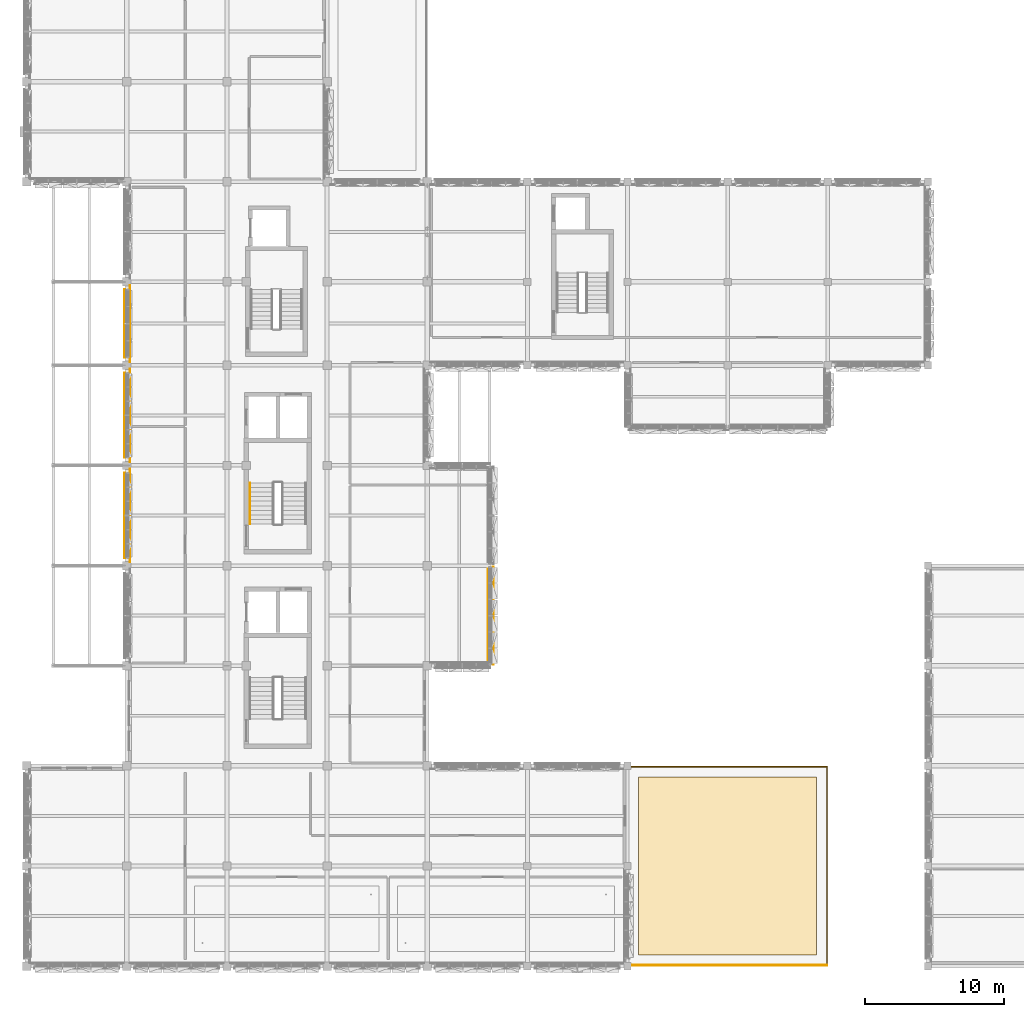
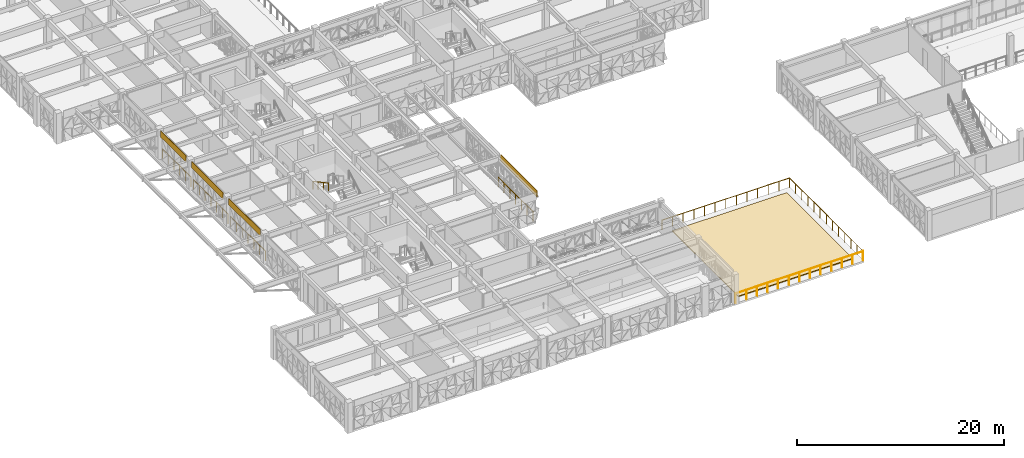
# One storey, part 79 of 99: 7 railings, 5 coverings.
"""IFC4 building model written with IfcOpenShell, lengths in metres."""

from ifc_helpers import new_model, si_unit, direction, frame, origin, origin_2d, place, context, subcontext, project, spatial, polyline, circle, outline, extrude, material, layer, layer_set, type_object, element, save


model = new_model("IFC4")

# Units and contexts
model_context = context("Model", 3, precision=1e-05, world=origin(), true_north=direction((0.0, 1.0)))
body_context = subcontext(model_context, "Body", "Model", "MODEL_VIEW")
ifc_project = project(units=[si_unit("LENGTHUNIT", "METRE"), si_unit("AREAUNIT", "SQUARE_METRE"), si_unit("VOLUMEUNIT", "CUBIC_METRE"), si_unit("PLANEANGLEUNIT", "RADIAN"), si_unit("MASSUNIT", "GRAM", prefix="KILO")], contexts=[model_context])

# Site, building, storey
site_placement = place(None, origin())
site = spatial("IfcSite", under=ifc_project, at=site_placement, CompositionType="ELEMENT")
building_placement = place(site_placement, origin())
building = spatial("IfcBuilding", under=site, at=building_placement, Name="Alvorim Cloister Faculty of Sciences", CompositionType="ELEMENT")
storey_placement = place(building_placement, frame((0.0, 0.0, 12.14990234375)))
storey = spatial("IfcBuildingStorey", under=building, at=storey_placement, Name="L03", CompositionType="ELEMENT", Elevation=12.14990234375)

# Coverings
ifc_material_1 = material(Name="Anodised Aluminium Alloy 6063-T6", Category="aluminium")
ifc_layer_1 = layer(ifc_material_1, 0.031982421875)
ifc_layer_set_1 = layer_set([ifc_layer_1], Name="Anodised Aluminium Alloy 6063-T6")
covering_type_1 = type_object("IfcCoveringType", Name="COV-FAC-CAS", PredefinedType="CLADDING", material=ifc_layer_set_1)
for number, where, z_axis, x_axis, name in (
    (1, (7.050048828125, 29.340087890625, 2.830078125), (0.0, 0.0, 1.0), (0.0, 1.0, 0.0), "L03 Shifted Bar Slab-Edge Architectural Fascia"),
    (2, (7.050048828125, 36.5400390625, 2.830078125), (0.0, 0.0, 1.0), (0.0, 1.0, 0.0), "L03 Shifted Bar Slab-Edge Architectural Fascia"),
):
    element("IfcCovering", number, at=place(storey_placement, frame(where, z_axis=z_axis, x_axis=x_axis)), inside=storey, type_object=covering_type_1, Name=name, PredefinedType="CLADDING", context=body_context, shape_type="SweptSolid", body=[
        extrude(outline(polyline([(0.0, 0.0), (6.1201171875, 0.0), (6.1201171875, 0.760009765625), (0.0, 0.760009765625), (0.0, 0.0)])), frame((0.0, 0.0224609375, 0.0), z_axis=(0.0, -1.0, 0.0), x_axis=(1.0, 0.0, 0.0)), (0.0, 0.0, 1.0), 0.044921875),
    ])
covering_1_placement = place(storey_placement, frame((7.050048828125, 43.739990234375, 2.830078125), z_axis=(0.0, 0.0, 1.0), x_axis=(0.0, 1.0, 0.0)))
element("IfcCovering", 3, at=covering_1_placement, inside=storey, type_object=covering_type_1, Name="L03 Shifted Bar Slab-Edge Architectural Fascia", PredefinedType="CLADDING", context=body_context, shape_type="SweptSolid", body=[
    extrude(outline(polyline([(0.0, 0.0), (4.919921875, 0.0), (4.919921875, 0.760009765625), (0.0, 0.760009765625), (0.0, 0.0)])), frame((0.0, 0.0224609375, 0.0), z_axis=(0.0, -1.0, 0.0), x_axis=(1.0, 0.0, 0.0)), (0.0, 0.0, 1.0), 0.044921875),
])
covering_2_placement = place(storey_placement, frame((33.550048828125, 21.679931640625, 2.837158203125), z_axis=(0.0, 0.0, 1.0), x_axis=(0.0, 1.0, 0.0)))
element("IfcCovering", 4, at=covering_2_placement, inside=storey, type_object=covering_type_1, Name="L03 Shifted Bar Slab-Edge Architectural Fascia", PredefinedType="CLADDING", context=body_context, shape_type="SweptSolid", body=[
    extrude(outline(polyline([(0.0, 0.0), (7.0400390625, 0.0), (7.0400390625, 0.7529296875), (0.0, 0.7529296875), (0.0, 0.0)])), frame((0.0, 0.0224609375, 0.0), z_axis=(0.0, -1.0, 0.0), x_axis=(1.0, 0.0, 0.0)), (0.0, 0.0, 1.0), 0.044921875),
])
ifc_material_2 = material(Name="Intensive Vegetated Substrate", Category="earth")
ifc_layer_2 = layer(ifc_material_2, 0.10009765625)
ifc_layer_set_2 = layer_set([ifc_layer_2], Name="Intensive Vegetated Substrate")
covering_type_2 = type_object("IfcCoveringType", Name="COV-ROOF-GREEN", PredefinedType="ROOFING", material=ifc_layer_set_2)
covering_3_placement = place(storey_placement, origin())
element("IfcCovering", 5, at=covering_3_placement, inside=storey, type_object=covering_type_2, Name="L03 South Cloister Quadrangle Roof Garden Quota Ambiental Vegetated Substrate", PredefinedType="ROOFING", context=body_context, shape_type="SweptSolid", body=[
    extrude(outline(polyline([(44.0, 0.800048828125), (56.800048828125, 0.800048828125), (56.800048828125, 13.60009765625), (44.0, 13.60009765625), (44.0, 0.800048828125)])), origin(), (0.0, 0.0, 1.0), 0.10009765625),
])

# Railings
ifc_material_3 = material(Name="Laminated Safety Glass and Bronze", Category="glass")
railing_type_1 = type_object("IfcRailingType", Name="RL-ATR-BAL-1150", PredefinedType="BALUSTRADE", material=ifc_material_3)
for number, where, name in (
    (6, (7.419921875, 29.050048828125, 0.0), "L03 Curtain Wall Sill Guard BL-95"),
    (7, (7.419921875, 36.25, 0.0), "L03 Curtain Wall Sill Guard BL-96"),
):
    element("IfcRailing", number, at=place(storey_placement, frame(where)), inside=storey, type_object=railing_type_1, Name=name, PredefinedType="BALUSTRADE", context=body_context, shape_type="SweptSolid", body=[
        extrude(circle(Radius=0.02392578125, at=origin_2d()), frame((0.0, 0.0, 1.1259765625), z_axis=(0.0, 1.0, 0.0), x_axis=(-1.0, 0.0, 0.0)), (0.0, 0.0, 1.0), 6.699951171875),
        extrude(circle(Radius=0.02099609375, at=origin_2d()), origin(), (0.0, 0.0, 1.0), 1.101806640625),
        extrude(circle(Radius=0.02099609375, at=origin_2d()), frame((0.0, 1.11669921875, 0.0)), (0.0, 0.0, 1.0), 1.101806640625),
        extrude(circle(Radius=0.02099609375, at=origin_2d()), frame((0.0, 2.2333984375, 0.0)), (0.0, 0.0, 1.0), 1.101806640625),
        extrude(circle(Radius=0.02099609375, at=origin_2d()), frame((0.0, 3.35009765625, 0.0)), (0.0, 0.0, 1.0), 1.101806640625),
        extrude(circle(Radius=0.02099609375, at=origin_2d()), frame((0.0, 4.466552734375, 0.0)), (0.0, 0.0, 1.0), 1.101806640625),
        extrude(circle(Radius=0.02099609375, at=origin_2d()), frame((0.0, 5.583251953125, 0.0)), (0.0, 0.0, 1.0), 1.101806640625),
        extrude(circle(Radius=0.02099609375, at=origin_2d()), frame((0.0, 6.699951171875, 0.0)), (0.0, 0.0, 1.0), 1.101806640625),
    ])
railing_1_placement = place(storey_placement, frame((7.419921875, 43.449951171875, 0.0)))
element("IfcRailing", 8, at=railing_1_placement, inside=storey, type_object=railing_type_1, Name="L03 Curtain Wall Sill Guard BL-97", PredefinedType="BALUSTRADE", context=body_context, shape_type="SweptSolid", body=[
    extrude(circle(Radius=0.02392578125, at=origin_2d()), frame((0.0, 0.0, 1.1259765625), z_axis=(0.0, 1.0, 0.0), x_axis=(-1.0, 0.0, 0.0)), (0.0, 0.0, 1.0), 5.5),
    extrude(circle(Radius=0.02099609375, at=origin_2d()), origin(), (0.0, 0.0, 1.0), 1.101806640625),
    extrude(circle(Radius=0.02099609375, at=origin_2d()), frame((0.0, 1.10009765625, 0.0)), (0.0, 0.0, 1.0), 1.101806640625),
    extrude(circle(Radius=0.02099609375, at=origin_2d()), frame((0.0, 2.199951171875, 0.0)), (0.0, 0.0, 1.0), 1.101806640625),
    extrude(circle(Radius=0.02099609375, at=origin_2d()), frame((0.0, 3.300048828125, 0.0)), (0.0, 0.0, 1.0), 1.101806640625),
    extrude(circle(Radius=0.02099609375, at=origin_2d()), frame((0.0, 4.39990234375, 0.0)), (0.0, 0.0, 1.0), 1.101806640625),
    extrude(circle(Radius=0.02099609375, at=origin_2d()), frame((0.0, 5.5, 0.0)), (0.0, 0.0, 1.0), 1.101806640625),
])
railing_2_placement = place(storey_placement, frame((33.179931640625, 21.85009765625, 0.0)))
element("IfcRailing", 9, at=railing_2_placement, inside=storey, type_object=railing_type_1, Name="L03 Curtain Wall Sill Guard BL-136", PredefinedType="BALUSTRADE", context=body_context, shape_type="SweptSolid", body=[
    extrude(circle(Radius=0.02392578125, at=origin_2d()), frame((0.0, 0.0, 1.1259765625), z_axis=(0.0, 1.0, 0.0), x_axis=(-1.0, 0.0, 0.0)), (0.0, 0.0, 1.0), 6.699951171875),
    extrude(circle(Radius=0.02099609375, at=origin_2d()), origin(), (0.0, 0.0, 1.0), 1.101806640625),
    extrude(circle(Radius=0.02099609375, at=origin_2d()), frame((0.0, 1.11669921875, 0.0)), (0.0, 0.0, 1.0), 1.101806640625),
    extrude(circle(Radius=0.02099609375, at=origin_2d()), frame((0.0, 2.2333984375, 0.0)), (0.0, 0.0, 1.0), 1.101806640625),
    extrude(circle(Radius=0.02099609375, at=origin_2d()), frame((0.0, 3.35009765625, 0.0)), (0.0, 0.0, 1.0), 1.101806640625),
    extrude(circle(Radius=0.02099609375, at=origin_2d()), frame((0.0, 4.466552734375, 0.0)), (0.0, 0.0, 1.0), 1.101806640625),
    extrude(circle(Radius=0.02099609375, at=origin_2d()), frame((0.0, 5.583251953125, 0.0)), (0.0, 0.0, 1.0), 1.101806640625),
    extrude(circle(Radius=0.02099609375, at=origin_2d()), frame((0.0, 6.699951171875, 0.0)), (0.0, 0.0, 1.0), 1.101806640625),
])
ifc_material_4 = material(Name="Galvanised Painted Steel", Category="steel")
railing_type_2 = type_object("IfcRailingType", Name="RL-PAR-GUARD-1150", PredefinedType="GUARDRAIL", material=ifc_material_4)
railing_3_placement = place(storey_placement, frame((57.5400390625, 0.06005859375, 0.0)))
element("IfcRailing", 10, at=railing_3_placement, inside=storey, type_object=railing_type_2, Name="L03 South Cloister Quadrangle Roof Garden Perimeter Guard GR-299", PredefinedType="GUARDRAIL", context=body_context, shape_type="SweptSolid", body=[
    extrude(circle(Radius=0.02392578125, at=origin_2d()), frame((0.0, 0.0, 1.1259765625), z_axis=(0.0, 1.0, 0.0), x_axis=(-1.0, 0.0, 0.0)), (0.0, 0.0, 1.0), 14.280029296875),
    extrude(circle(Radius=0.02392578125, at=origin_2d()), frame((0.0, 14.280029296875, 1.1259765625), z_axis=(-1.0, 0.0, 0.0), x_axis=(0.0, -1.0, 0.0)), (0.0, 0.0, 1.0), 14.260009765625),
    extrude(circle(Radius=0.02099609375, at=origin_2d()), origin(), (0.0, 0.0, 1.0), 1.101806640625),
    extrude(circle(Radius=0.02099609375, at=origin_2d()), frame((0.0, 1.18994140625, 0.0)), (0.0, 0.0, 1.0), 1.101806640625),
    extrude(circle(Radius=0.02099609375, at=origin_2d()), frame((0.0, 2.3798828125, 0.0)), (0.0, 0.0, 1.0), 1.101806640625),
    extrude(circle(Radius=0.02099609375, at=origin_2d()), frame((0.0, 3.570068359375, 0.0)), (0.0, 0.0, 1.0), 1.101806640625),
    extrude(circle(Radius=0.02099609375, at=origin_2d()), frame((0.0, 4.760009765625, 0.0)), (0.0, 0.0, 1.0), 1.101806640625),
    extrude(circle(Radius=0.02099609375, at=origin_2d()), frame((0.0, 5.949951171875, 0.0)), (0.0, 0.0, 1.0), 1.101806640625),
    extrude(circle(Radius=0.02099609375, at=origin_2d()), frame((0.0, 7.14013671875, 0.0)), (0.0, 0.0, 1.0), 1.101806640625),
    extrude(circle(Radius=0.02099609375, at=origin_2d()), frame((0.0, 8.330078125, 0.0)), (0.0, 0.0, 1.0), 1.101806640625),
    extrude(circle(Radius=0.02099609375, at=origin_2d()), frame((0.0, 9.52001953125, 0.0)), (0.0, 0.0, 1.0), 1.101806640625),
    extrude(circle(Radius=0.02099609375, at=origin_2d()), frame((0.0, 10.7099609375, 0.0)), (0.0, 0.0, 1.0), 1.101806640625),
    extrude(circle(Radius=0.02099609375, at=origin_2d()), frame((0.0, 11.89990234375, 0.0)), (0.0, 0.0, 1.0), 1.101806640625),
    extrude(circle(Radius=0.02099609375, at=origin_2d()), frame((0.0, 13.090087890625, 0.0)), (0.0, 0.0, 1.0), 1.101806640625),
    extrude(circle(Radius=0.02099609375, at=origin_2d()), frame((0.0, 14.280029296875, 0.0)), (0.0, 0.0, 1.0), 1.101806640625),
    extrude(circle(Radius=0.02099609375, at=origin_2d()), frame((-1.188232421875, 14.280029296875, 0.0)), (0.0, 0.0, 1.0), 1.101806640625),
    extrude(circle(Radius=0.02099609375, at=origin_2d()), frame((-2.376708984375, 14.280029296875, 0.0)), (0.0, 0.0, 1.0), 1.101806640625),
    extrude(circle(Radius=0.02099609375, at=origin_2d()), frame((-3.56494140625, 14.280029296875, 0.0)), (0.0, 0.0, 1.0), 1.101806640625),
    extrude(circle(Radius=0.02099609375, at=origin_2d()), frame((-4.75341796875, 14.280029296875, 0.0)), (0.0, 0.0, 1.0), 1.101806640625),
    extrude(circle(Radius=0.02099609375, at=origin_2d()), frame((-5.941650390625, 14.280029296875, 0.0)), (0.0, 0.0, 1.0), 1.101806640625),
    extrude(circle(Radius=0.02099609375, at=origin_2d()), frame((-7.1298828125, 14.280029296875, 0.0)), (0.0, 0.0, 1.0), 1.101806640625),
    extrude(circle(Radius=0.02099609375, at=origin_2d()), frame((-8.318359375, 14.280029296875, 0.0)), (0.0, 0.0, 1.0), 1.101806640625),
    extrude(circle(Radius=0.02099609375, at=origin_2d()), frame((-9.506591796875, 14.280029296875, 0.0)), (0.0, 0.0, 1.0), 1.101806640625),
    extrude(circle(Radius=0.02099609375, at=origin_2d()), frame((-10.695068359375, 14.280029296875, 0.0)), (0.0, 0.0, 1.0), 1.101806640625),
    extrude(circle(Radius=0.02099609375, at=origin_2d()), frame((-11.88330078125, 14.280029296875, 0.0)), (0.0, 0.0, 1.0), 1.101806640625),
    extrude(circle(Radius=0.02099609375, at=origin_2d()), frame((-13.07177734375, 14.280029296875, 0.0)), (0.0, 0.0, 1.0), 1.101806640625),
    extrude(circle(Radius=0.02099609375, at=origin_2d()), frame((-14.260009765625, 14.280029296875, 0.0)), (0.0, 0.0, 1.0), 1.101806640625),
])
railing_4_placement = place(storey_placement, frame((43.280029296875, 0.06005859375, 0.0)))
element("IfcRailing", 11, at=railing_4_placement, inside=storey, type_object=railing_type_2, Name="L03 South Cloister Quadrangle Roof Garden Perimeter Guard GR-300", PredefinedType="GUARDRAIL", context=body_context, shape_type="SweptSolid", body=[
    extrude(circle(Radius=0.02392578125, at=origin_2d()), frame((0.0, 0.0, 1.1259765625), z_axis=(1.0, 0.0, 0.0), x_axis=(0.0, 1.0, 0.0)), (0.0, 0.0, 1.0), 14.260009765625),
    extrude(circle(Radius=0.02099609375, at=origin_2d()), origin(), (0.0, 0.0, 1.0), 1.101806640625),
    extrude(circle(Radius=0.02099609375, at=origin_2d()), frame((1.188232421875, 0.0, 0.0)), (0.0, 0.0, 1.0), 1.101806640625),
    extrude(circle(Radius=0.02099609375, at=origin_2d()), frame((2.376708984375, 0.0, 0.0)), (0.0, 0.0, 1.0), 1.101806640625),
    extrude(circle(Radius=0.02099609375, at=origin_2d()), frame((3.56494140625, 0.0, 0.0)), (0.0, 0.0, 1.0), 1.101806640625),
    extrude(circle(Radius=0.02099609375, at=origin_2d()), frame((4.75341796875, 0.0, 0.0)), (0.0, 0.0, 1.0), 1.101806640625),
    extrude(circle(Radius=0.02099609375, at=origin_2d()), frame((5.941650390625, 0.0, 0.0)), (0.0, 0.0, 1.0), 1.101806640625),
    extrude(circle(Radius=0.02099609375, at=origin_2d()), frame((7.1298828125, 0.0, 0.0)), (0.0, 0.0, 1.0), 1.101806640625),
    extrude(circle(Radius=0.02099609375, at=origin_2d()), frame((8.318359375, 0.0, 0.0)), (0.0, 0.0, 1.0), 1.101806640625),
    extrude(circle(Radius=0.02099609375, at=origin_2d()), frame((9.506591796875, 0.0, 0.0)), (0.0, 0.0, 1.0), 1.101806640625),
    extrude(circle(Radius=0.02099609375, at=origin_2d()), frame((10.695068359375, 0.0, 0.0)), (0.0, 0.0, 1.0), 1.101806640625),
    extrude(circle(Radius=0.02099609375, at=origin_2d()), frame((11.88330078125, 0.0, 0.0)), (0.0, 0.0, 1.0), 1.101806640625),
    extrude(circle(Radius=0.02099609375, at=origin_2d()), frame((13.07177734375, 0.0, 0.0)), (0.0, 0.0, 1.0), 1.101806640625),
    extrude(circle(Radius=0.02099609375, at=origin_2d()), frame((14.260009765625, 0.0, 0.0)), (0.0, 0.0, 1.0), 1.101806640625),
])
ifc_material_5 = material(Name="Brushed Stainless Steel", Category="steel")
railing_type_3 = type_object("IfcRailingType", Name="RL-STR-HAND", PredefinedType="HANDRAIL", material=ifc_material_5)
railing_5_placement = place(storey_placement, frame((16.050048828125, 34.75, 1.97998046875)))
element("IfcRailing", 12, at=railing_5_placement, inside=storey, type_object=railing_type_3, Name="L03 ST-02 stair handrail 2", PredefinedType="HANDRAIL", context=body_context, shape_type="SweptSolid", body=[
    extrude(circle(Radius=0.02392578125, at=origin_2d()), frame((0.0, 0.0, 0.8759765625), z_axis=(0.0, -0.877879025156, 0.47888246699), x_axis=(1.0, 0.0, 0.0)), (0.0, 0.0, 1.0), 3.383056640625),
    extrude(circle(Radius=0.02099609375, at=origin_2d()), origin(), (0.0, 0.0, 1.0), 0.851806640625),
    extrude(circle(Radius=0.02099609375, at=origin_2d()), frame((0.0, -0.989990234375, 0.5400390625)), (0.0, 0.0, 1.0), 0.851806640625),
    extrude(circle(Radius=0.02099609375, at=origin_2d()), frame((0.0, -1.97998046875, 1.080078125)), (0.0, 0.0, 1.0), 0.851806640625),
    extrude(circle(Radius=0.02099609375, at=origin_2d()), frame((0.0, -2.969970703125, 1.6201171875)), (0.0, 0.0, 1.0), 0.851806640625),
])

save(model, "model.ifc")
